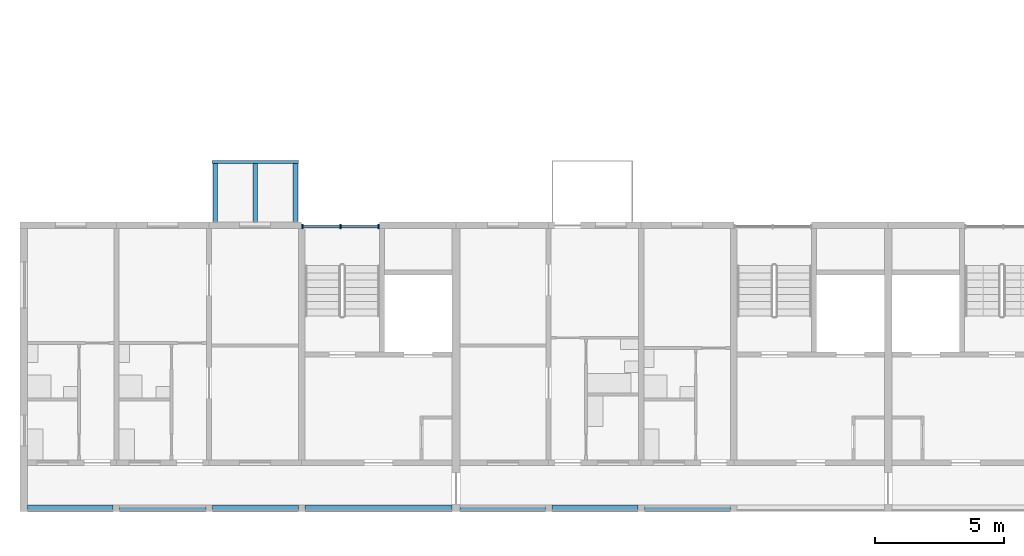
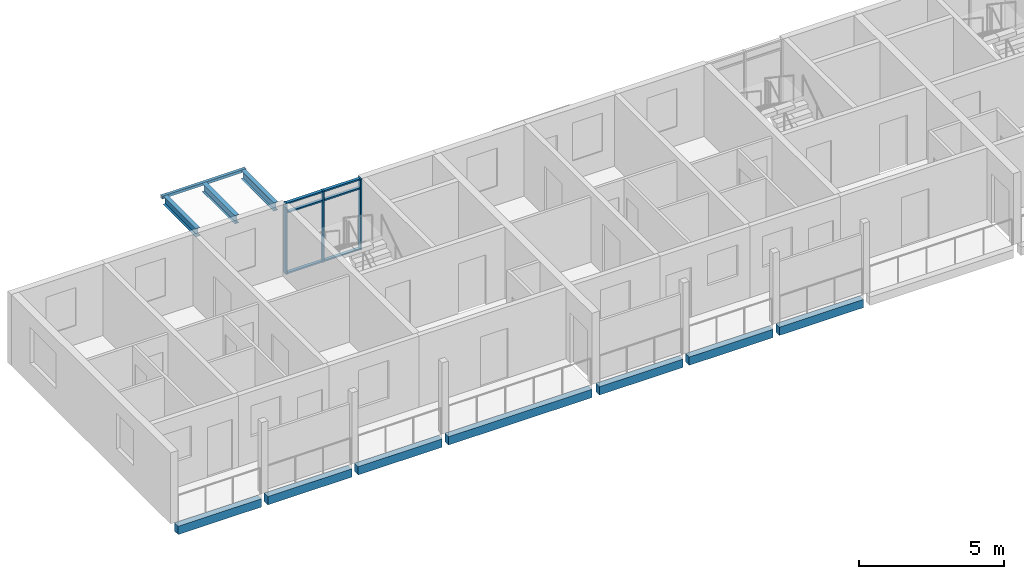
# One storey, part 5 of 87: 11 beams, 9 members, 1 element without a shape of its own.
"""IFC4 building model written with IfcOpenShell, lengths in metres."""

from ifc_helpers import new_model, si_unit, direction, frame, origin, origin_2d, place, context, subcontext, project, spatial, rectangle, hollow_rectangle, i_section, extrude, material, material_profile, profile_set, type_object, element, aggregate, save


model = new_model("IFC4")

# Units and contexts
model_context = context("Model", 3, precision=1e-05, world=origin(), true_north=direction((0.0, 1.0)))
body_context = subcontext(model_context, "Body", "Model", "MODEL_VIEW")
ifc_project = project(units=[si_unit("LENGTHUNIT", "METRE"), si_unit("AREAUNIT", "SQUARE_METRE"), si_unit("VOLUMEUNIT", "CUBIC_METRE"), si_unit("PLANEANGLEUNIT", "RADIAN"), si_unit("MASSUNIT", "GRAM", prefix="KILO")], contexts=[model_context])

# Site, building, storey
site_placement = place(None, origin())
site = spatial("IfcSite", under=ifc_project, at=site_placement, CompositionType="ELEMENT")
building_placement = place(site_placement, origin())
building = spatial("IfcBuilding", under=site, at=building_placement, Name="Ridgestep Commons", CompositionType="ELEMENT")
storey_placement = place(building_placement, frame((0.0, 0.0, 27.0)))
storey = spatial("IfcBuildingStorey", under=building, at=storey_placement, Name="L09", CompositionType="ELEMENT", Elevation=27.0)

# Beams
ifc_material_1 = material(Name="Precast concrete C40/50", Category="concrete")
ifc_material_profile_1 = material_profile(ifc_material_1, rectangle(XDim=0.25, YDim=0.35009765625, at=origin_2d()), Name="PC 250x350")
ifc_profile_set_1 = profile_set([ifc_material_profile_1], Name="Precast concrete C40/50")
beam_type_1 = type_object("IfcBeamType", Name="Loggia edge beam 250 x 350", PredefinedType="SPANDREL", material=ifc_profile_set_1)
beam_1_placement = place(storey_placement, frame((12.14990234375, 11.875, -0.375), z_axis=(1.0, 0.0, 0.0), x_axis=(0.0, 1.0, 0.0)))
element("IfcBeam", 1, at=beam_1_placement, inside=storey, type_object=beam_type_1, Name="Loggia edge beam A1T1 L09", PredefinedType="SPANDREL", context=body_context, shape_type="SweptSolid", body=[
    extrude(rectangle(XDim=0.25, YDim=0.35009765625, at=origin_2d()), origin(), (0.0, 0.0, 1.0), 3.3251953125),
])
beam_2_placement = place(storey_placement, frame((15.72509765625, 11.875, -0.375), z_axis=(1.0, 0.0, 0.0), x_axis=(0.0, 1.0, 0.0)))
element("IfcBeam", 2, at=beam_2_placement, inside=storey, type_object=beam_type_1, Name="Loggia edge beam A1T2 L09", PredefinedType="SPANDREL", context=body_context, shape_type="SweptSolid", body=[
    extrude(rectangle(XDim=0.25, YDim=0.35009765625, at=origin_2d()), origin(), (0.0, 0.0, 1.0), 3.349853515625),
])
beam_3_placement = place(storey_placement, frame((19.324951171875, 11.875, -0.375), z_axis=(1.0, 0.0, 0.0), x_axis=(0.0, 1.0, 0.0)))
element("IfcBeam", 3, at=beam_3_placement, inside=storey, type_object=beam_type_1, Name="Loggia edge beam A1T3 L09", PredefinedType="SPANDREL", context=body_context, shape_type="SweptSolid", body=[
    extrude(rectangle(XDim=0.25, YDim=0.35009765625, at=origin_2d()), origin(), (0.0, 0.0, 1.0), 3.35009765625),
])
beam_4_placement = place(storey_placement, frame((22.925048828125, 11.875, -0.375), z_axis=(1.0, 0.0, 0.0), x_axis=(0.0, 1.0, 0.0)))
element("IfcBeam", 4, at=beam_4_placement, inside=storey, type_object=beam_type_1, Name="Loggia edge beam A1C L09", PredefinedType="SPANDREL", context=body_context, shape_type="SweptSolid", body=[
    extrude(rectangle(XDim=0.25, YDim=0.35009765625, at=origin_2d()), origin(), (0.0, 0.0, 1.0), 5.724853515625),
])
beam_5_placement = place(storey_placement, frame((28.949951171875, 11.875, -0.375), z_axis=(1.0, 0.0, 0.0), x_axis=(0.0, 1.0, 0.0)))
element("IfcBeam", 5, at=beam_5_placement, inside=storey, type_object=beam_type_1, Name="Loggia edge beam A2T1 L09", PredefinedType="SPANDREL", context=body_context, shape_type="SweptSolid", body=[
    extrude(rectangle(XDim=0.25, YDim=0.35009765625, at=origin_2d()), origin(), (0.0, 0.0, 1.0), 3.324951171875),
])
for number, where, z_axis, x_axis, name in (
    (6, (32.52490234375, 11.875, -0.375), (1.0, 0.0, 0.0), (0.0, 1.0, 0.0), "Loggia edge beam A2T2 L09"),
    (7, (36.125, 11.875, -0.375), (1.0, 0.0, 0.0), (0.0, 1.0, 0.0), "Loggia edge beam A2T3 L09"),
):
    element("IfcBeam", number, at=place(storey_placement, frame(where, z_axis=z_axis, x_axis=x_axis)), inside=storey, type_object=beam_type_1, Name=name, PredefinedType="SPANDREL", context=body_context, shape_type="SweptSolid", body=[
        extrude(rectangle(XDim=0.25, YDim=0.35009765625, at=origin_2d()), origin(), (0.0, 0.0, 1.0), 3.35009765625),
    ])

# Curtain wall, members
ifc_material_2 = material(Name="Aluminium 6063-T6 and glass", Category="aluminium")
curtain_wall_type = type_object("IfcCurtainWallType", Name="Curtain wall stair strip", PredefinedType="NOTDEFINED", material=ifc_material_2)
curtain_wall_placement = place(storey_placement, origin())
curtain_wall = element("IfcCurtainWall", 8, at=curtain_wall_placement, inside=storey, type_object=curtain_wall_type, Name="Curtain wall A1C level 09", PredefinedType="NOTDEFINED")
ifc_material_3 = material(Name="Aluminium 6063-T6", Category="aluminium")
ifc_material_profile_2 = material_profile(ifc_material_3, rectangle(XDim=0.159912109375, YDim=0.06005859375, at=origin_2d()), Name="Mullion 60 x 160")
ifc_profile_set_2 = profile_set([ifc_material_profile_2], Name="Aluminium 6063-T6")
member_type_1 = type_object("IfcMemberType", Name="Mullion 60 x 160", PredefinedType="MULLION", material=ifc_profile_set_2)
member_1_placement = place(storey_placement, frame((22.830078125, 22.830078125, 0.0), z_axis=(0.0, 0.0, 1.0), x_axis=(0.0, 1.0, 0.0)))
member_1 = element("IfcMember", 9, at=member_1_placement, type_object=member_type_1, Name="CW1 mullion 1", PredefinedType="MULLION", context=body_context, shape_type="SweptSolid", body=[
    extrude(rectangle(XDim=0.159912109375, YDim=0.06005859375, at=origin_2d()), origin(), (0.0, 0.0, 1.0), 3.0),
])
member_2_placement = place(storey_placement, frame((24.3125, 22.830078125, 0.0), z_axis=(0.0, 0.0, 1.0), x_axis=(0.0, 1.0, 0.0)))
member_2 = element("IfcMember", 10, at=member_2_placement, type_object=member_type_1, Name="CW1 mullion 2", PredefinedType="MULLION", context=body_context, shape_type="SweptSolid", body=[
    extrude(rectangle(XDim=0.159912109375, YDim=0.06005859375, at=origin_2d()), origin(), (0.0, 0.0, 1.0), 3.0),
])
member_3_placement = place(storey_placement, frame((25.794921875, 22.830078125, 0.0), z_axis=(0.0, 0.0, 1.0), x_axis=(0.0, 1.0, 0.0)))
member_3 = element("IfcMember", 11, at=member_3_placement, type_object=member_type_1, Name="CW1 mullion 3", PredefinedType="MULLION", context=body_context, shape_type="SweptSolid", body=[
    extrude(rectangle(XDim=0.159912109375, YDim=0.06005859375, at=origin_2d()), origin(), (0.0, 0.0, 1.0), 3.0),
])
ifc_material_4 = material(Name="Aluminium 6063-T6", Category="aluminium")
ifc_material_profile_3 = material_profile(ifc_material_4, rectangle(XDim=0.1201171875, YDim=0.06005859375, at=origin_2d()), Name="Transom 60 x 120")
ifc_profile_set_3 = profile_set([ifc_material_profile_3], Name="Aluminium 6063-T6")
member_type_2 = type_object("IfcMemberType", Name="Transom 60 x 120", PredefinedType="USERDEFINED", material=ifc_profile_set_3)
member_4_placement = place(storey_placement, frame((22.860107421875, 22.830078125, 0.030029296875), z_axis=(1.0, 0.0, 0.0), x_axis=(0.0, 1.0, 0.0)))
member_4 = element("IfcMember", 12, at=member_4_placement, type_object=member_type_2, Name="CW1 transom 1.1", ObjectType="TRANSOM", PredefinedType="USERDEFINED", context=body_context, shape_type="SweptSolid", body=[
    extrude(rectangle(XDim=0.1201171875, YDim=0.06005859375, at=origin_2d()), origin(), (0.0, 0.0, 1.0), 1.42236328125),
])
member_5_placement = place(storey_placement, frame((22.860107421875, 22.830078125, 2.590087890625), z_axis=(1.0, 0.0, 0.0), x_axis=(0.0, 1.0, 0.0)))
member_5 = element("IfcMember", 13, at=member_5_placement, type_object=member_type_2, Name="CW1 transom 1.2", ObjectType="TRANSOM", PredefinedType="USERDEFINED", context=body_context, shape_type="SweptSolid", body=[
    extrude(rectangle(XDim=0.1201171875, YDim=0.06005859375, at=origin_2d()), origin(), (0.0, 0.0, 1.0), 1.42236328125),
])
member_6_placement = place(storey_placement, frame((22.860107421875, 22.830078125, 2.969970703125), z_axis=(1.0, 0.0, 0.0), x_axis=(0.0, 1.0, 0.0)))
member_6 = element("IfcMember", 14, at=member_6_placement, type_object=member_type_2, Name="CW1 transom 1.3", ObjectType="TRANSOM", PredefinedType="USERDEFINED", context=body_context, shape_type="SweptSolid", body=[
    extrude(rectangle(XDim=0.1201171875, YDim=0.06005859375, at=origin_2d()), origin(), (0.0, 0.0, 1.0), 1.42236328125),
])
member_7_placement = place(storey_placement, frame((24.342529296875, 22.830078125, 0.030029296875), z_axis=(1.0, 0.0, 0.0), x_axis=(0.0, 1.0, 0.0)))
member_7 = element("IfcMember", 15, at=member_7_placement, type_object=member_type_2, Name="CW1 transom 2.1", ObjectType="TRANSOM", PredefinedType="USERDEFINED", context=body_context, shape_type="SweptSolid", body=[
    extrude(rectangle(XDim=0.1201171875, YDim=0.06005859375, at=origin_2d()), origin(), (0.0, 0.0, 1.0), 1.42236328125),
])
member_8_placement = place(storey_placement, frame((24.342529296875, 22.830078125, 2.590087890625), z_axis=(1.0, 0.0, 0.0), x_axis=(0.0, 1.0, 0.0)))
member_8 = element("IfcMember", 16, at=member_8_placement, type_object=member_type_2, Name="CW1 transom 2.2", ObjectType="TRANSOM", PredefinedType="USERDEFINED", context=body_context, shape_type="SweptSolid", body=[
    extrude(rectangle(XDim=0.1201171875, YDim=0.06005859375, at=origin_2d()), origin(), (0.0, 0.0, 1.0), 1.42236328125),
])
member_9_placement = place(storey_placement, frame((24.342529296875, 22.830078125, 2.969970703125), z_axis=(1.0, 0.0, 0.0), x_axis=(0.0, 1.0, 0.0)))
member_9 = element("IfcMember", 17, at=member_9_placement, type_object=member_type_2, Name="CW1 transom 2.3", ObjectType="TRANSOM", PredefinedType="USERDEFINED", context=body_context, shape_type="SweptSolid", body=[
    extrude(rectangle(XDim=0.1201171875, YDim=0.06005859375, at=origin_2d()), origin(), (0.0, 0.0, 1.0), 1.42236328125),
])
aggregate(curtain_wall, [member_1, member_2, member_3, member_4, member_5, member_6, member_7, member_8, member_9])

# Beams
ifc_material_5 = material(Name="Weathering steel S355J2W", Category="steel")
ifc_material_profile_4 = material_profile(ifc_material_5, i_section(OverallWidth=0.171142578125, OverallDepth=0.351318359375, WebThickness=0.007080078125, FlangeThickness=0.009765625, FilletRadius=0.01025390625, at=origin_2d()), Name="UB 356x171x45")
ifc_profile_set_4 = profile_set([ifc_material_profile_4], Name="Weathering steel S355J2W")
beam_type_2 = type_object("IfcBeamType", Name="Tray arm UB 356x171x45", PredefinedType="BEAM", material=ifc_profile_set_4)
for number, where, z_axis, x_axis, name in (
    (18, (19.449951171875, 23.014892578125, 2.814208984375), (0.0, 1.0, 0.0), (-1.0, 0.0, 0.0), "Tray arm A1T3-10.1"),
    (19, (21.0, 23.014892578125, 2.814208984375), (0.0, 1.0, 0.0), (-1.0, 0.0, 0.0), "Tray arm A1T3-10.2"),
    (20, (22.550048828125, 23.014892578125, 2.814208984375), (0.0, 1.0, 0.0), (-1.0, 0.0, 0.0), "Tray arm A1T3-10.3"),
):
    element("IfcBeam", number, at=place(storey_placement, frame(where, z_axis=z_axis, x_axis=x_axis)), inside=storey, type_object=beam_type_2, Name=name, PredefinedType="BEAM", context=body_context, shape_type="SweptSolid", body=[
        extrude(i_section(OverallWidth=0.171142578125, OverallDepth=0.351318359375, WebThickness=0.007080078125, FlangeThickness=0.009765625, FilletRadius=0.01025390625, at=origin_2d()), origin(), (0.0, 0.0, 1.0), 2.26513671875),
    ])
ifc_material_6 = material(Name="Weathering steel S355J2W", Category="steel")
ifc_material_profile_5 = material_profile(ifc_material_6, hollow_rectangle(XDim=0.1201171875, YDim=0.1201171875, WallThickness=0.00634765625, InnerFilletRadius=0.00634765625, OuterFilletRadius=0.009521484375, at=origin_2d()), Name="SHS 120x120x6.3")
ifc_profile_set_5 = profile_set([ifc_material_profile_5], Name="Weathering steel S355J2W")
beam_type_3 = type_object("IfcBeamType", Name="Tray edge member SHS 120x120x6.3", PredefinedType="BEAM", material=ifc_profile_set_5)
beam_6_placement = place(storey_placement, frame((19.330078125, 25.340087890625, 2.929931640625), z_axis=(1.0, 0.0, 0.0), x_axis=(0.0, 0.0, 1.0)))
element("IfcBeam", 21, at=beam_6_placement, inside=storey, type_object=beam_type_3, Name="Tray edge member A1T3-10", PredefinedType="BEAM", context=body_context, shape_type="SweptSolid", body=[
    extrude(hollow_rectangle(XDim=0.1201171875, YDim=0.1201171875, WallThickness=0.00634765625, InnerFilletRadius=0.00634765625, OuterFilletRadius=0.009521484375, at=origin_2d()), origin(), (0.0, 0.0, 1.0), 3.33984375),
])

save(model, "model.ifc")
